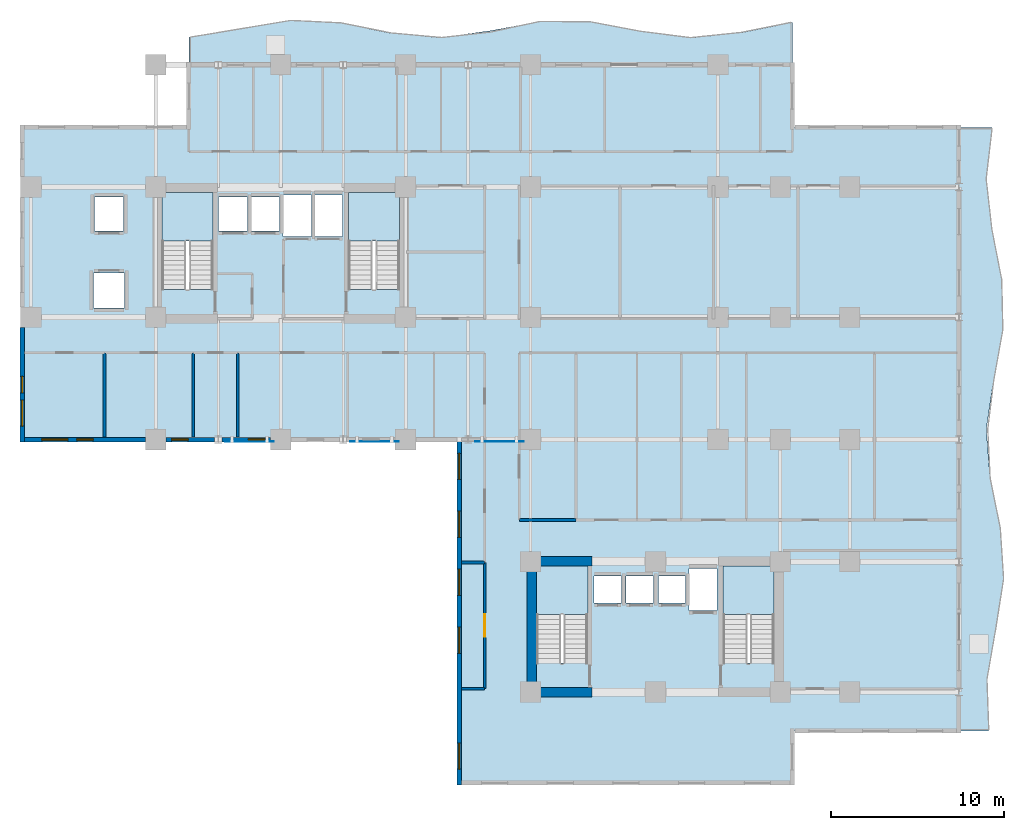
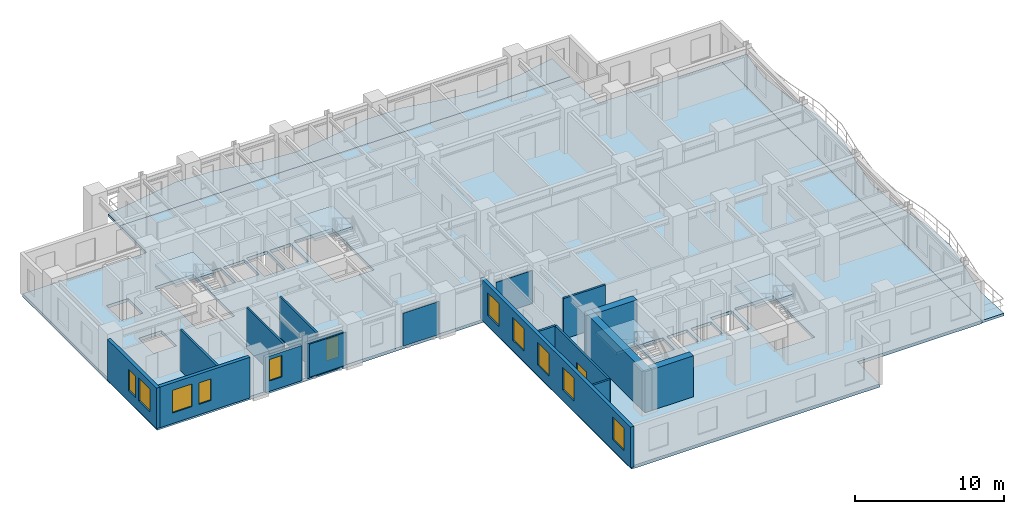
# One storey, part 2 of 11: 15 walls, 11 windows, 7 slabs, 3 plates, 1 door, 12 openings, 4 elements without a shape of their own.
"""IFC4 building model written with IfcOpenShell, lengths in metres."""

from ifc_helpers import new_model, si_unit, direction, frame, frame_2d, origin, origin_2d, place, context, subcontext, project, spatial, polyline, rectangle, outline, extrude, source, transform, mapped, material, layer, layer_set, type_object, element, fill, aggregate, save


model = new_model("IFC4")

# Units and contexts
model_context = context("Model", 3, precision=1e-05, world=origin(), true_north=direction((0.0, 1.0)))
body_context = subcontext(model_context, "Body", "Model", "MODEL_VIEW")
ifc_project = project(units=[si_unit("LENGTHUNIT", "METRE"), si_unit("AREAUNIT", "SQUARE_METRE"), si_unit("VOLUMEUNIT", "CUBIC_METRE"), si_unit("PLANEANGLEUNIT", "RADIAN"), si_unit("MASSUNIT", "GRAM", prefix="KILO")], contexts=[model_context])

# Site, building, storey
site_placement = place(None, origin())
site = spatial("IfcSite", under=ifc_project, at=site_placement, CompositionType="ELEMENT")
building_placement = place(site_placement, origin())
building = spatial("IfcBuilding", under=site, at=building_placement, Name="Kaliganga Portal Commons", CompositionType="ELEMENT")
storey_placement = place(building_placement, frame((0.0, 0.0, 126.699951171875)))
storey = spatial("IfcBuildingStorey", under=building, at=storey_placement, Name="L32", CompositionType="ELEMENT", Elevation=126.699951171875)

# Slabs
ifc_material_1 = material(Name="Concrete C40/50", Category="concrete")
ifc_layer_1 = layer(ifc_material_1, 0.2099609375)
ifc_layer_set_1 = layer_set([ifc_layer_1], Name="Concrete C40/50")
slab_type_1 = type_object("IfcSlabType", Name="SLB-BALC-210", PredefinedType="FLOOR", material=ifc_layer_set_1)
slab_1_placement = place(storey_placement, frame((0.0, 0.0, -0.2099609375)))
element("IfcSlab", 1, at=slab_1_placement, inside=storey, type_object=slab_type_1, Name="Scalloped Tree-Planter Balcony Slab L32 balc_north", PredefinedType="FLOOR", context=body_context, shape_type="SweptSolid", body=[
    extrude(outline(polyline([(51.10009765625, 43.199951171875), (51.10009765625, 45.6484375), (48.199951171875, 45.06689453125), (45.300048828125, 44.76611328125), (42.39990234375, 45.137939453125), (39.5, 45.697998046875), (36.60009765625, 45.716552734375), (33.699951171875, 45.16943359375), (30.800048828125, 44.76953125), (27.89990234375, 45.03759765625), (25.0, 45.624755859375), (22.10009765625, 45.765625), (19.199951171875, 45.27685546875), (16.300048828125, 44.79541015625), (16.300048828125, 43.199951171875), (51.10009765625, 43.199951171875)])), origin(), (0.0, 0.0, 1.0), 0.2099609375),
])
slab_2_placement = place(storey_placement, frame((0.0, 0.0, -0.2099609375)))
element("IfcSlab", 2, at=slab_2_placement, inside=storey, type_object=slab_type_1, Name="Scalloped Tree-Planter Balcony Slab L32 balc_east", PredefinedType="FLOOR", context=body_context, shape_type="SweptSolid", body=[
    extrude(outline(polyline([(60.699951171875, 4.800048828125), (62.416259765625, 4.800048828125), (62.311767578125, 7.699951171875), (62.8203125, 10.60009765625), (63.279296875, 13.5), (63.091064453125, 16.39990234375), (62.50048828125, 19.300048828125), (62.277099609375, 22.199951171875), (62.712158203125, 25.10009765625), (63.238525390625, 28.0), (63.170654296875, 30.89990234375), (62.5966796875, 33.800048828125), (62.2646484375, 36.699951171875), (62.60693359375, 39.60009765625), (60.699951171875, 39.60009765625), (60.699951171875, 4.800048828125)])), origin(), (0.0, 0.0, 1.0), 0.2099609375),
])

# Stair, slab
stair_type = type_object("IfcStairType", Name="ST-CORE-DOGLEG", PredefinedType="HALF_TURN_STAIR", material=ifc_material_1)
stair_1_placement = place(storey_placement, origin())
stair_1 = element("IfcStair", 3, at=stair_1_placement, inside=storey, type_object=stair_type, Name="L32 Protected Exit Stair ST-A1", PredefinedType="HALF_TURN_STAIR")
ifc_layer_2 = layer(ifc_material_1, 0.199951171875)
ifc_layer_set_2 = layer_set([ifc_layer_2], Name="Concrete C40/50")
slab_type_2 = type_object("IfcSlabType", Name="SLB-STAIR-LND", PredefinedType="LANDING", material=ifc_layer_set_2)
slab_3_placement = place(storey_placement, frame((0.0, 0.0, 1.650146484375)))
slab_3 = element("IfcSlab", 4, at=slab_3_placement, type_object=slab_type_2, Name="ST-A1 landing 1", PredefinedType="LANDING", context=body_context, shape_type="SweptSolid", body=[
    extrude(outline(polyline([(17.699951171875, 33.050048828125), (17.699951171875, 35.85009765625), (14.75, 35.85009765625), (14.75, 33.050048828125), (17.699951171875, 33.050048828125)])), origin(), (0.0, 0.0, 1.0), 0.199951171875),
])
aggregate(stair_1, [slab_3])

stair_2_placement = place(storey_placement, origin())
stair_2 = element("IfcStair", 5, at=stair_2_placement, inside=storey, type_object=stair_type, Name="L32 Protected Exit Stair ST-A2", PredefinedType="HALF_TURN_STAIR")
slab_4_placement = place(storey_placement, frame((0.0, 0.0, 1.650146484375)))
slab_4 = element("IfcSlab", 6, at=slab_4_placement, type_object=slab_type_2, Name="ST-A2 landing 1", PredefinedType="LANDING", context=body_context, shape_type="SweptSolid", body=[
    extrude(outline(polyline([(28.449951171875, 33.050048828125), (28.449951171875, 35.85009765625), (25.5, 35.85009765625), (25.5, 33.050048828125), (28.449951171875, 33.050048828125)])), origin(), (0.0, 0.0, 1.0), 0.199951171875),
])
aggregate(stair_2, [slab_4])

stair_3_placement = place(storey_placement, origin())
stair_3 = element("IfcStair", 7, at=stair_3_placement, inside=storey, type_object=stair_type, Name="L32 Protected Exit Stair ST-B1", PredefinedType="HALF_TURN_STAIR")
slab_5_placement = place(storey_placement, frame((0.0, 0.0, 1.650146484375)))
slab_5 = element("IfcSlab", 8, at=slab_5_placement, type_object=slab_type_2, Name="ST-B1 landing 1", PredefinedType="LANDING", context=body_context, shape_type="SweptSolid", body=[
    extrude(outline(polyline([(39.300048828125, 11.5), (39.300048828125, 14.300048828125), (36.35009765625, 14.300048828125), (36.35009765625, 11.5), (39.300048828125, 11.5)])), origin(), (0.0, 0.0, 1.0), 0.199951171875),
])
aggregate(stair_3, [slab_5])

stair_4_placement = place(storey_placement, origin())
stair_4 = element("IfcStair", 9, at=stair_4_placement, inside=storey, type_object=stair_type, Name="L32 Protected Exit Stair ST-B2", PredefinedType="HALF_TURN_STAIR")
slab_6_placement = place(storey_placement, frame((0.0, 0.0, 1.650146484375)))
slab_6 = element("IfcSlab", 10, at=slab_6_placement, type_object=slab_type_2, Name="ST-B2 landing 1", PredefinedType="LANDING", context=body_context, shape_type="SweptSolid", body=[
    extrude(outline(polyline([(50.050048828125, 11.5), (50.050048828125, 14.300048828125), (47.10009765625, 14.300048828125), (47.10009765625, 11.5), (50.050048828125, 11.5)])), origin(), (0.0, 0.0, 1.0), 0.199951171875),
])
aggregate(stair_4, [slab_6])

# Slab
ifc_layer_3 = layer(ifc_material_1, 0.25)
ifc_layer_set_3 = layer_set([ifc_layer_3], Name="Concrete C40/50")
slab_type_3 = type_object("IfcSlabType", Name="SLB-TWR-250", PredefinedType="FLOOR", material=ifc_layer_set_3)
slab_7_placement = place(storey_placement, frame((0.0, 0.0, -0.25)))
element("IfcSlab", 11, at=slab_7_placement, inside=storey, type_object=slab_type_3, Name="Structural Floor Slab L32", PredefinedType="FLOOR", context=body_context, shape_type="SweptSolid", body=[
    extrude(outline(polyline([(31.89990234375, 1.800048828125), (51.10009765625, 1.800048828125), (51.10009765625, 4.800048828125), (60.699951171875, 4.800048828125), (60.699951171875, 39.60009765625), (51.10009765625, 39.60009765625), (51.10009765625, 43.199951171875), (16.300048828125, 43.199951171875), (16.300048828125, 39.60009765625), (6.699951171875, 39.60009765625), (6.699951171875, 21.60009765625), (31.89990234375, 21.60009765625), (31.89990234375, 1.800048828125)]), holes=[polyline([(14.75, 30.25390625), (14.75, 35.85009765625), (17.699951171875, 35.85009765625), (17.699951171875, 30.25390625), (14.75, 30.25390625)]), polyline([(25.5, 30.25390625), (25.5, 35.85009765625), (28.449951171875, 35.85009765625), (28.449951171875, 30.25390625), (25.5, 30.25390625)]), polyline([(36.35009765625, 8.7041015625), (36.35009765625, 14.300048828125), (39.300048828125, 14.300048828125), (39.300048828125, 8.7041015625), (36.35009765625, 8.7041015625)]), polyline([(47.10009765625, 8.7041015625), (47.10009765625, 14.300048828125), (50.050048828125, 14.300048828125), (50.050048828125, 8.7041015625), (47.10009765625, 8.7041015625)]), polyline([(18.014892578125, 33.614990234375), (18.014892578125, 35.5849609375), (19.68505859375, 35.5849609375), (19.68505859375, 33.614990234375), (18.014892578125, 33.614990234375)]), polyline([(19.864990234375, 33.614990234375), (19.864990234375, 35.5849609375), (21.534912109375, 35.5849609375), (21.534912109375, 33.614990234375), (19.864990234375, 33.614990234375)]), polyline([(10.81494140625, 29.18994140625), (10.81494140625, 31.2099609375), (12.5849609375, 31.2099609375), (12.5849609375, 29.18994140625), (10.81494140625, 29.18994140625)]), polyline([(10.864990234375, 33.614990234375), (10.864990234375, 35.5849609375), (12.534912109375, 35.5849609375), (12.534912109375, 33.614990234375), (10.864990234375, 33.614990234375)]), polyline([(21.739990234375, 33.2900390625), (21.739990234375, 35.7099609375), (23.360107421875, 35.7099609375), (23.360107421875, 33.2900390625), (21.739990234375, 33.2900390625)]), polyline([(23.5400390625, 33.2900390625), (23.5400390625, 35.7099609375), (25.159912109375, 35.7099609375), (25.159912109375, 33.2900390625), (23.5400390625, 33.2900390625)]), polyline([(39.6650390625, 12.1650390625), (39.6650390625, 13.735107421875), (41.235107421875, 13.735107421875), (41.235107421875, 12.1650390625), (39.6650390625, 12.1650390625)]), polyline([(41.514892578125, 12.1650390625), (41.514892578125, 13.735107421875), (43.0849609375, 13.735107421875), (43.0849609375, 12.1650390625), (41.514892578125, 12.1650390625)]), polyline([(43.364990234375, 12.1650390625), (43.364990234375, 13.735107421875), (44.93505859375, 13.735107421875), (44.93505859375, 12.1650390625), (43.364990234375, 12.1650390625)]), polyline([(45.139892578125, 11.739990234375), (45.139892578125, 14.159912109375), (46.760009765625, 14.159912109375), (46.760009765625, 11.739990234375), (45.139892578125, 11.739990234375)])]), origin(), (0.0, 0.0, 1.0), 0.25),
])

# Plates
ifc_material_2 = material(Name="Perforated Terracotta Monsoon Baguette Screen", Category="masonry")
ifc_layer_4 = layer(ifc_material_2, 0.034912109375)
ifc_layer_set_4 = layer_set([ifc_layer_4], Name="Perforated Terracotta Monsoon Baguette Screen")
plate_type = type_object("IfcPlateType", Name="PLT-CER-35", PredefinedType="USERDEFINED", material=ifc_layer_set_4)
shared_shape = source(origin(), body_context, "Body", "SweptSolid", [
    extrude(rectangle(XDim=2.800048828125, YDim=0.034912109375, at=origin_2d()), origin(), (0.0, 0.0, 1.0), 2.68994140625),
])
for number, where, z_axis, x_axis, name in (
    (12, (19.800048828125, 21.47998046875, 0.080078125), (0.0, 0.0, 1.0), (1.0, 0.0, 0.0), "Perforated Solar Screen L32-S1"),
    (13, (27.0, 21.47998046875, 0.080078125), (0.0, 0.0, 1.0), (1.0, 0.0, 0.0), "Perforated Solar Screen L32-S2"),
    (14, (34.199951171875, 21.47998046875, 0.080078125), (0.0, 0.0, 1.0), (1.0, 0.0, 0.0), "Perforated Solar Screen L32-S3"),
):
    element("IfcPlate", number, at=place(storey_placement, frame(where, z_axis=z_axis, x_axis=x_axis)), inside=storey, type_object=plate_type, Name=name, ObjectType="SOLAR SCREEN", PredefinedType="USERDEFINED", context=body_context, shape_type="MappedRepresentation", body=[
        mapped(shared_shape, transform((0.0, 0.0, 0.0), x_axis=(1.0, 0.0, 0.0), y_axis=(0.0, 1.0, 0.0), z_axis=(0.0, 0.0, 1.0), scale=1.0)),
    ])

# Walls
ifc_material_3 = material(Name="Concrete C60/75", Category="concrete")
ifc_layer_5 = layer(ifc_material_3, 0.550048828125)
ifc_layer_set_5 = layer_set([ifc_layer_5], Name="Concrete C60/75")
wall_type_1 = type_object("IfcWallType", Name="WL-CORE-550", PredefinedType="SHEAR", material=ifc_layer_set_5)
wall_1_placement = place(storey_placement, frame((36.074951171875, 6.75, 0.0), z_axis=(0.0, 0.0, 1.0), x_axis=(0.0, 1.0, 0.0)))
element("IfcWall", 15, at=wall_1_placement, inside=storey, type_object=wall_type_1, Name="Core B West Shear Wall L32", PredefinedType="SHEAR", context=body_context, shape_type="SweptSolid", body=[
    extrude(rectangle(XDim=8.10009765625, YDim=0.550048828125, at=frame_2d((4.050048828125, 0.0))), origin(), (0.0, 0.0, 1.0), 3.340087890625),
])
for number, where, z_axis, x_axis, name in (
    (16, (36.35009765625, 7.02490234375, 0.0), (0.0, 0.0, 1.0), (1.0, 0.0, 0.0), "Core B S-West Shear Wall L32"),
    (17, (36.35009765625, 14.574951171875, 0.0), (0.0, 0.0, 1.0), (1.0, 0.0, 0.0), "Core B N-West Shear Wall L32"),
):
    element("IfcWall", number, at=place(storey_placement, frame(where, z_axis=z_axis, x_axis=x_axis)), inside=storey, type_object=wall_type_1, Name=name, PredefinedType="SHEAR", context=body_context, shape_type="SweptSolid", body=[
        extrude(rectangle(XDim=3.199951171875, YDim=0.550048828125, at=frame_2d((1.60009765625, 0.0))), origin(), (0.0, 0.0, 1.0), 3.340087890625),
    ])

# Wall, openings, windows
ifc_material_4 = material(Name="Insulated Aluminium-Clad Spandrel Assembly", Category="aluminium")
ifc_layer_6 = layer(ifc_material_4, 0.260009765625)
ifc_layer_set_6 = layer_set([ifc_layer_6], Name="Insulated Aluminium-Clad Spandrel Assembly")
wall_type_2 = type_object("IfcWallType", Name="WL-EXT-SPAND-260", PredefinedType="STANDARD", material=ifc_layer_set_6)
wall_2_placement = place(storey_placement, frame((6.699951171875, 21.469970703125, 0.0), z_axis=(0.0, 0.0, 1.0), x_axis=(0.0, 1.0, 0.0)))
wall_2 = element("IfcWall", 18, at=wall_2_placement, inside=storey, type_object=wall_type_2, Name="Exterior Envelope Wall L32 P1-E09-S3", PredefinedType="STANDARD", context=body_context, shape_type="SweptSolid", body=[
    extrude(rectangle(XDim=6.5791015625, YDim=0.260009765625, at=frame_2d((3.28955078125, 0.0))), origin(), (0.0, 0.0, 1.0), 3.320068359375),
])
opening_1_placement = place(wall_2_placement, frame((0.894775390625, 0.0, 0.85009765625)))
opening_1 = element("IfcOpeningElement", 19, at=opening_1_placement, cuts=wall_2, Name="Opening W-02", PredefinedType="OPENING", context=body_context, shape_type="SweptSolid", body=[
    extrude(rectangle(XDim=1.5, YDim=1.85009765625, at=frame_2d((0.75, 0.925048828125))), frame((0.0, 0.14013671875, 0.0), z_axis=(0.0, -1.0, 0.0), x_axis=(1.0, 0.0, 0.0)), (0.0, 0.0, 1.0), 0.280029296875),
])
opening_2_placement = place(wall_2_placement, frame((2.814453125, 0.0, 0.85009765625)))
opening_2 = element("IfcOpeningElement", 20, at=opening_2_placement, cuts=wall_2, Name="Opening W-04", PredefinedType="OPENING", context=body_context, shape_type="SweptSolid", body=[
    extrude(rectangle(XDim=0.949951171875, YDim=1.75, at=frame_2d((0.47509765625, 0.875))), frame((0.0, 0.14013671875, 0.0), z_axis=(0.0, -1.0, 0.0), x_axis=(1.0, 0.0, 0.0)), (0.0, 0.0, 1.0), 0.280029296875),
])
ifc_material_5 = material(Name="Thermally Broken Aluminium and Low-E Double Glazing", Category="aluminium")
window_type_1 = type_object("IfcWindowType", Name="WIN-NARROW-950", PartitioningType="SINGLE_PANEL", PredefinedType="WINDOW", material=ifc_material_5)
window_1_placement = place(opening_2_placement, origin())
window_1 = element("IfcWindow", 21, at=window_1_placement, inside=storey, type_object=window_type_1, Name="Facade Window L32-P1E09S3-N0", OverallHeight=1.75, OverallWidth=0.949951171875, PartitioningType="SINGLE_PANEL", PredefinedType="WINDOW", context=body_context, shape_type="SweptSolid", body=[
    extrude(rectangle(XDim=0.949951171875, YDim=1.75, at=frame_2d((0.47509765625, 0.875))), frame((0.0, 0.030029296875, 0.0), z_axis=(0.0, -1.0, 0.0), x_axis=(1.0, 0.0, 0.0)), (0.0, 0.0, 1.0), 0.06005859375),
])
fill(opening_2, window_1)
window_type_2 = type_object("IfcWindowType", Name="WIN-STD-1500", PartitioningType="DOUBLE_PANEL_VERTICAL", PredefinedType="WINDOW", material=ifc_material_5)
window_2_placement = place(opening_1_placement, origin())
window_2 = element("IfcWindow", 22, at=window_2_placement, inside=storey, type_object=window_type_2, Name="Facade Window L32-P1E09S3-00", OverallHeight=1.85009765625, OverallWidth=1.5, PartitioningType="SINGLE_PANEL", PredefinedType="WINDOW", context=body_context, shape_type="SweptSolid", body=[
    extrude(rectangle(XDim=1.5, YDim=1.85009765625, at=frame_2d((0.75, 0.925048828125))), frame((0.0, 0.030029296875, 0.0), z_axis=(0.0, -1.0, 0.0), x_axis=(1.0, 0.0, 0.0)), (0.0, 0.0, 1.0), 0.06005859375),
])
fill(opening_1, window_2)

wall_3_placement = place(storey_placement, frame((13.799072265625, 21.60009765625, 0.0), z_axis=(0.0, 0.0, 1.0), x_axis=(-1.0, 0.0, 0.0)))
wall_3 = element("IfcWall", 23, at=wall_3_placement, inside=storey, type_object=wall_type_2, Name="Exterior Envelope Wall L32 P1-E10-S1", PredefinedType="STANDARD", context=body_context, shape_type="SweptSolid", body=[
    extrude(rectangle(XDim=6.964111328125, YDim=0.260009765625, at=frame_2d((3.48193359375, 0.0))), origin(), (0.0, 0.0, 1.0), 3.320068359375),
])
opening_3_placement = place(wall_3_placement, frame((4.472900390625, 0.0, 0.85009765625)))
opening_3 = element("IfcOpeningElement", 24, at=opening_3_placement, cuts=wall_3, Name="Opening W-02", PredefinedType="OPENING", context=body_context, shape_type="SweptSolid", body=[
    extrude(rectangle(XDim=1.5, YDim=1.85009765625, at=frame_2d((0.75, 0.925048828125))), frame((0.0, 0.14013671875, 0.0), z_axis=(0.0, -1.0, 0.0), x_axis=(1.0, 0.0, 0.0)), (0.0, 0.0, 1.0), 0.280029296875),
])
opening_4_placement = place(wall_3_placement, frame((3.007080078125, 0.0, 0.85009765625)))
opening_4 = element("IfcOpeningElement", 25, at=opening_4_placement, cuts=wall_3, Name="Opening W-04", PredefinedType="OPENING", context=body_context, shape_type="SweptSolid", body=[
    extrude(rectangle(XDim=0.949951171875, YDim=1.75, at=frame_2d((0.47509765625, 0.875))), frame((0.0, 0.14013671875, 0.0), z_axis=(0.0, -1.0, 0.0), x_axis=(1.0, 0.0, 0.0)), (0.0, 0.0, 1.0), 0.280029296875),
])
window_3_placement = place(opening_4_placement, origin())
window_3 = element("IfcWindow", 26, at=window_3_placement, inside=storey, type_object=window_type_1, Name="Facade Window L32-P1E10S1-N0", OverallHeight=1.75, OverallWidth=0.949951171875, PartitioningType="SINGLE_PANEL", PredefinedType="WINDOW", context=body_context, shape_type="SweptSolid", body=[
    extrude(rectangle(XDim=0.949951171875, YDim=1.75, at=frame_2d((0.47509765625, 0.875))), frame((0.0, 0.030029296875, 0.0), z_axis=(0.0, -1.0, 0.0), x_axis=(1.0, 0.0, 0.0)), (0.0, 0.0, 1.0), 0.06005859375),
])
fill(opening_4, window_3)
window_4_placement = place(opening_3_placement, origin())
window_4 = element("IfcWindow", 27, at=window_4_placement, inside=storey, type_object=window_type_2, Name="Facade Window L32-P1E10S1-01", OverallHeight=1.85009765625, OverallWidth=1.5, PartitioningType="SINGLE_PANEL", PredefinedType="WINDOW", context=body_context, shape_type="SweptSolid", body=[
    extrude(rectangle(XDim=1.5, YDim=1.85009765625, at=frame_2d((0.75, 0.925048828125))), frame((0.0, 0.030029296875, 0.0), z_axis=(0.0, -1.0, 0.0), x_axis=(1.0, 0.0, 0.0)), (0.0, 0.0, 1.0), 0.06005859375),
])
fill(opening_3, window_4)

# Wall, opening, window
wall_4_placement = place(storey_placement, frame((17.79443359375, 21.60009765625, 0.0), z_axis=(0.0, 0.0, 1.0), x_axis=(-1.0, 0.0, 0.0)))
wall_4 = element("IfcWall", 28, at=wall_4_placement, inside=storey, type_object=wall_type_2, Name="Exterior Envelope Wall L32 P1-E10-S2", PredefinedType="STANDARD", context=body_context, shape_type="SweptSolid", body=[
    extrude(rectangle(XDim=2.79345703125, YDim=0.260009765625, at=frame_2d((1.396728515625, 0.0))), origin(), (0.0, 0.0, 1.0), 2.8701171875),
])
opening_5_placement = place(wall_4_placement, frame((1.536376953125, 0.0, 0.85009765625)))
opening_5 = element("IfcOpeningElement", 29, at=opening_5_placement, cuts=wall_4, Name="Opening W-04", PredefinedType="OPENING", context=body_context, shape_type="SweptSolid", body=[
    extrude(rectangle(XDim=0.949951171875, YDim=1.75, at=frame_2d((0.47509765625, 0.875))), frame((0.0, 0.14013671875, 0.0), z_axis=(0.0, -1.0, 0.0), x_axis=(1.0, 0.0, 0.0)), (0.0, 0.0, 1.0), 0.280029296875),
])
window_5_placement = place(opening_5_placement, origin())
window_5 = element("IfcWindow", 30, at=window_5_placement, inside=storey, type_object=window_type_1, Name="Facade Window L32-P1E10S2-N4", OverallHeight=1.75, OverallWidth=0.949951171875, PartitioningType="SINGLE_PANEL", PredefinedType="WINDOW", context=body_context, shape_type="SweptSolid", body=[
    extrude(rectangle(XDim=0.949951171875, YDim=1.75, at=frame_2d((0.47509765625, 0.875))), frame((0.0, 0.030029296875, 0.0), z_axis=(0.0, -1.0, 0.0), x_axis=(1.0, 0.0, 0.0)), (0.0, 0.0, 1.0), 0.06005859375),
])
fill(opening_5, window_5)

wall_5_placement = place(storey_placement, frame((20.9990234375, 21.60009765625, 0.0), z_axis=(0.0, 0.0, 1.0), x_axis=(-1.0, 0.0, 0.0)))
wall_5 = element("IfcWall", 31, at=wall_5_placement, inside=storey, type_object=wall_type_2, Name="Exterior Envelope Wall L32 P1-E10-S3", PredefinedType="STANDARD", context=body_context, shape_type="SweptSolid", body=[
    extrude(rectangle(XDim=2.79345703125, YDim=0.260009765625, at=frame_2d((1.396728515625, 0.0))), origin(), (0.0, 0.0, 1.0), 2.8701171875),
])
opening_6_placement = place(wall_5_placement, frame((0.30712890625, 0.0, 0.85009765625)))
opening_6 = element("IfcOpeningElement", 32, at=opening_6_placement, cuts=wall_5, Name="Opening W-04", PredefinedType="OPENING", context=body_context, shape_type="SweptSolid", body=[
    extrude(rectangle(XDim=0.949951171875, YDim=1.75, at=frame_2d((0.47509765625, 0.875))), frame((0.0, 0.14013671875, 0.0), z_axis=(0.0, -1.0, 0.0), x_axis=(1.0, 0.0, 0.0)), (0.0, 0.0, 1.0), 0.280029296875),
])
window_6_placement = place(opening_6_placement, origin())
window_6 = element("IfcWindow", 33, at=window_6_placement, inside=storey, type_object=window_type_1, Name="Facade Window L32-P1E10S3-N3", OverallHeight=1.75, OverallWidth=0.949951171875, PartitioningType="SINGLE_PANEL", PredefinedType="WINDOW", context=body_context, shape_type="SweptSolid", body=[
    extrude(rectangle(XDim=0.949951171875, YDim=1.75, at=frame_2d((0.47509765625, 0.875))), frame((0.0, 0.030029296875, 0.0), z_axis=(0.0, -1.0, 0.0), x_axis=(1.0, 0.0, 0.0)), (0.0, 0.0, 1.0), 0.06005859375),
])
fill(opening_6, window_6)

# Wall, openings, windows
wall_6_placement = place(storey_placement, frame((31.89990234375, 1.669921875, 0.0), z_axis=(0.0, 0.0, 1.0), x_axis=(0.0, 1.0, 0.0)))
wall_6 = element("IfcWall", 34, at=wall_6_placement, inside=storey, type_object=wall_type_2, Name="Exterior Envelope Wall L32 P1-E11-S1", PredefinedType="STANDARD", context=body_context, shape_type="SweptSolid", body=[
    extrude(rectangle(XDim=20.06005859375, YDim=0.260009765625, at=frame_2d((10.030029296875, 0.0))), origin(), (0.0, 0.0, 1.0), 3.320068359375),
])
opening_7_placement = place(wall_6_placement, frame((0.921630859375, 0.0, 0.85009765625)))
opening_7 = element("IfcOpeningElement", 35, at=opening_7_placement, cuts=wall_6, Name="Opening W-02", PredefinedType="OPENING", context=body_context, shape_type="SweptSolid", body=[
    extrude(rectangle(XDim=1.5, YDim=1.85009765625, at=frame_2d((0.75, 0.925048828125))), frame((0.0, 0.14013671875, 0.0), z_axis=(0.0, -1.0, 0.0), x_axis=(1.0, 0.0, 0.0)), (0.0, 0.0, 1.0), 0.280029296875),
])
opening_8_placement = place(wall_6_placement, frame((7.6083984375, 0.0, 0.85009765625)))
opening_8 = element("IfcOpeningElement", 36, at=opening_8_placement, cuts=wall_6, Name="Opening W-02", PredefinedType="OPENING", context=body_context, shape_type="SweptSolid", body=[
    extrude(rectangle(XDim=1.5, YDim=1.85009765625, at=frame_2d((0.75, 0.925048828125))), frame((0.0, 0.14013671875, 0.0), z_axis=(0.0, -1.0, 0.0), x_axis=(1.0, 0.0, 0.0)), (0.0, 0.0, 1.0), 0.280029296875),
])
opening_9_placement = place(wall_6_placement, frame((10.95166015625, 0.0, 0.85009765625)))
opening_9 = element("IfcOpeningElement", 37, at=opening_9_placement, cuts=wall_6, Name="Opening W-02", PredefinedType="OPENING", context=body_context, shape_type="SweptSolid", body=[
    extrude(rectangle(XDim=1.5, YDim=1.85009765625, at=frame_2d((0.75, 0.925048828125))), frame((0.0, 0.14013671875, 0.0), z_axis=(0.0, -1.0, 0.0), x_axis=(1.0, 0.0, 0.0)), (0.0, 0.0, 1.0), 0.280029296875),
])
opening_10_placement = place(wall_6_placement, frame((14.294921875, 0.0, 0.85009765625)))
opening_10 = element("IfcOpeningElement", 38, at=opening_10_placement, cuts=wall_6, Name="Opening W-02", PredefinedType="OPENING", context=body_context, shape_type="SweptSolid", body=[
    extrude(rectangle(XDim=1.5, YDim=1.85009765625, at=frame_2d((0.75, 0.925048828125))), frame((0.0, 0.14013671875, 0.0), z_axis=(0.0, -1.0, 0.0), x_axis=(1.0, 0.0, 0.0)), (0.0, 0.0, 1.0), 0.280029296875),
])
opening_11_placement = place(wall_6_placement, frame((17.63818359375, 0.0, 0.85009765625)))
opening_11 = element("IfcOpeningElement", 39, at=opening_11_placement, cuts=wall_6, Name="Opening W-02", PredefinedType="OPENING", context=body_context, shape_type="SweptSolid", body=[
    extrude(rectangle(XDim=1.5, YDim=1.85009765625, at=frame_2d((0.75, 0.925048828125))), frame((0.0, 0.14013671875, 0.0), z_axis=(0.0, -1.0, 0.0), x_axis=(1.0, 0.0, 0.0)), (0.0, 0.0, 1.0), 0.280029296875),
])
window_7_placement = place(opening_7_placement, origin())
window_7 = element("IfcWindow", 40, at=window_7_placement, inside=storey, type_object=window_type_2, Name="Facade Window L32-P1E11S1-00", OverallHeight=1.85009765625, OverallWidth=1.5, PartitioningType="SINGLE_PANEL", PredefinedType="WINDOW", context=body_context, shape_type="SweptSolid", body=[
    extrude(rectangle(XDim=1.5, YDim=1.85009765625, at=frame_2d((0.75, 0.925048828125))), frame((0.0, 0.030029296875, 0.0), z_axis=(0.0, -1.0, 0.0), x_axis=(1.0, 0.0, 0.0)), (0.0, 0.0, 1.0), 0.06005859375),
])
fill(opening_7, window_7)
window_8_placement = place(opening_8_placement, origin())
window_8 = element("IfcWindow", 41, at=window_8_placement, inside=storey, type_object=window_type_2, Name="Facade Window L32-P1E11S1-02", OverallHeight=1.85009765625, OverallWidth=1.5, PartitioningType="SINGLE_PANEL", PredefinedType="WINDOW", context=body_context, shape_type="SweptSolid", body=[
    extrude(rectangle(XDim=1.5, YDim=1.85009765625, at=frame_2d((0.75, 0.925048828125))), frame((0.0, 0.030029296875, 0.0), z_axis=(0.0, -1.0, 0.0), x_axis=(1.0, 0.0, 0.0)), (0.0, 0.0, 1.0), 0.06005859375),
])
fill(opening_8, window_8)
window_9_placement = place(opening_9_placement, origin())
window_9 = element("IfcWindow", 42, at=window_9_placement, inside=storey, type_object=window_type_2, Name="Facade Window L32-P1E11S1-03", OverallHeight=1.85009765625, OverallWidth=1.5, PartitioningType="SINGLE_PANEL", PredefinedType="WINDOW", context=body_context, shape_type="SweptSolid", body=[
    extrude(rectangle(XDim=1.5, YDim=1.85009765625, at=frame_2d((0.75, 0.925048828125))), frame((0.0, 0.030029296875, 0.0), z_axis=(0.0, -1.0, 0.0), x_axis=(1.0, 0.0, 0.0)), (0.0, 0.0, 1.0), 0.06005859375),
])
fill(opening_9, window_9)
window_10_placement = place(opening_10_placement, origin())
window_10 = element("IfcWindow", 43, at=window_10_placement, inside=storey, type_object=window_type_2, Name="Facade Window L32-P1E11S1-04", OverallHeight=1.85009765625, OverallWidth=1.5, PartitioningType="SINGLE_PANEL", PredefinedType="WINDOW", context=body_context, shape_type="SweptSolid", body=[
    extrude(rectangle(XDim=1.5, YDim=1.85009765625, at=frame_2d((0.75, 0.925048828125))), frame((0.0, 0.030029296875, 0.0), z_axis=(0.0, -1.0, 0.0), x_axis=(1.0, 0.0, 0.0)), (0.0, 0.0, 1.0), 0.06005859375),
])
fill(opening_10, window_10)
window_11_placement = place(opening_11_placement, origin())
window_11 = element("IfcWindow", 44, at=window_11_placement, inside=storey, type_object=window_type_2, Name="Facade Window L32-P1E11S1-05", OverallHeight=1.85009765625, OverallWidth=1.5, PartitioningType="SINGLE_PANEL", PredefinedType="WINDOW", context=body_context, shape_type="SweptSolid", body=[
    extrude(rectangle(XDim=1.5, YDim=1.85009765625, at=frame_2d((0.75, 0.925048828125))), frame((0.0, 0.030029296875, 0.0), z_axis=(0.0, -1.0, 0.0), x_axis=(1.0, 0.0, 0.0)), (0.0, 0.0, 1.0), 0.06005859375),
])
fill(opening_11, window_11)

# Wall, opening, door
ifc_material_6 = material(Name="Fire-Rated Gypsum Board on Steel Stud", Category="steel")
ifc_layer_7 = layer(ifc_material_6, 0.14990234375)
ifc_layer_set_7 = layer_set([ifc_layer_7], Name="Fire-Rated Gypsum Board on Steel Stud")
wall_type_3 = type_object("IfcWallType", Name="WL-PART-CORR-150", PredefinedType="PARTITIONING", material=ifc_layer_set_7)
wall_7_placement = place(storey_placement, frame((33.360107421875, 7.239990234375, 0.0), z_axis=(0.0, 0.0, 1.0), x_axis=(0.0, 1.0, 0.0)))
wall_7 = element("IfcWall", 45, at=wall_7_placement, inside=storey, type_object=wall_type_3, Name="Interior Partition L32-010", PredefinedType="PARTITIONING", context=body_context, shape_type="SweptSolid", body=[
    extrude(rectangle(XDim=7.260009765625, YDim=0.14990234375, at=frame_2d((3.6298828125, 0.0))), origin(), (0.0, 0.0, 1.0), 3.320068359375),
])
opening_12_placement = place(wall_7_placement, frame((2.97998046875, 0.0, 0.0)))
opening_12 = element("IfcOpeningElement", 46, at=opening_12_placement, cuts=wall_7, Name="Opening RD-03", PredefinedType="OPENING", context=body_context, shape_type="SweptSolid", body=[
    extrude(rectangle(XDim=1.300048828125, YDim=2.1201171875, at=frame_2d((0.64990234375, 1.06005859375))), frame((0.0, 0.0849609375, 0.0), z_axis=(0.0, -1.0, 0.0), x_axis=(1.0, 0.0, 0.0)), (0.0, 0.0, 1.0), 0.169921875),
])
ifc_material_7 = material(Name="Glazed Timber Seminar Vision Door", Category="wood")
door_type = type_object("IfcDoorType", Name="DR-STUDY-1300", OperationType="DOUBLE_DOOR_SINGLE_SWING", PredefinedType="DOOR", material=ifc_material_7)
door_placement = place(opening_12_placement, origin())
door = element("IfcDoor", 47, at=door_placement, inside=storey, type_object=door_type, Name="Interior Door L32-KW01", OperationType="DOUBLE_DOOR_SINGLE_SWING", OverallHeight=2.1201171875, OverallWidth=1.300048828125, PredefinedType="DOOR", context=body_context, shape_type="SweptSolid", body=[
    extrude(rectangle(XDim=1.300048828125, YDim=2.1201171875, at=frame_2d((0.64990234375, 1.06005859375))), frame((0.0, 0.02490234375, 0.0), z_axis=(0.0, -1.0, 0.0), x_axis=(1.0, 0.0, 0.0)), (0.0, 0.0, 1.0), 0.050048828125),
])
fill(opening_12, door)

# Walls
wall_8_placement = place(storey_placement, frame((35.360107421875, 16.9599609375, 0.0), z_axis=(0.0, 0.0, 1.0), x_axis=(1.0, 0.0, 0.0)))
element("IfcWall", 48, at=wall_8_placement, inside=storey, type_object=wall_type_3, Name="Interior Partition L32-033", PredefinedType="PARTITIONING", context=body_context, shape_type="SweptSolid", body=[
    extrude(rectangle(XDim=3.260009765625, YDim=0.14990234375, at=frame_2d((1.6298828125, 0.0))), origin(), (0.0, 0.0, 1.0), 3.320068359375),
])
wall_9_placement = place(storey_placement, frame((32.031982421875, 7.239990234375, 0.0), z_axis=(0.0, 0.0, 1.0), x_axis=(1.0, 0.0, 0.0)))
element("IfcWall", 49, at=wall_9_placement, inside=storey, type_object=wall_type_3, Name="Interior Partition L32-042", PredefinedType="PARTITIONING", context=body_context, shape_type="SweptSolid", body=[
    extrude(rectangle(XDim=1.328125, YDim=0.14990234375, at=frame_2d((0.6640625, 0.0))), origin(), (0.0, 0.0, 1.0), 3.320068359375),
])
ifc_material_8 = material(Name="Twin-Stud Acoustic Gypsum Partition", Category="gypsum")
ifc_layer_8 = layer(ifc_material_8, 0.1650390625)
ifc_layer_set_8 = layer_set([ifc_layer_8], Name="Twin-Stud Acoustic Gypsum Partition")
wall_type_4 = type_object("IfcWallType", Name="WL-PART-UNIT-165", PredefinedType="PARTITIONING", material=ifc_layer_set_8)
wall_10_placement = place(storey_placement, frame((11.43994140625, 21.73193359375, 0.0), z_axis=(0.0, 0.0, 1.0), x_axis=(0.0, 1.0, 0.0)))
element("IfcWall", 50, at=wall_10_placement, inside=storey, type_object=wall_type_4, Name="Interior Partition L32-056", PredefinedType="PARTITIONING", context=body_context, shape_type="SweptSolid", body=[
    extrude(rectangle(XDim=4.8681640625, YDim=0.1650390625, at=frame_2d((2.43408203125, 0.0))), origin(), (0.0, 0.0, 1.0), 3.320068359375),
])
wall_11_placement = place(storey_placement, frame((32.031982421875, 14.5, 0.0), z_axis=(0.0, 0.0, 1.0), x_axis=(1.0, 0.0, 0.0)))
element("IfcWall", 51, at=wall_11_placement, inside=storey, type_object=wall_type_4, Name="Interior Partition L32-080", PredefinedType="PARTITIONING", context=body_context, shape_type="SweptSolid", body=[
    extrude(rectangle(XDim=1.328125, YDim=0.1650390625, at=frame_2d((0.6640625, 0.0))), origin(), (0.0, 0.0, 1.0), 3.320068359375),
])
ifc_material_9 = material(Name="Cement-Board Wet-Room Partition", Category="gypsum")
ifc_layer_9 = layer(ifc_material_9, 0.135009765625)
ifc_layer_set_9 = layer_set([ifc_layer_9], Name="Cement-Board Wet-Room Partition")
wall_type_5 = type_object("IfcWallType", Name="WL-PART-WET-135", PredefinedType="PARTITIONING", material=ifc_layer_set_9)
for number, where, z_axis, x_axis, name in (
    (52, (16.56005859375, 21.73193359375, 0.0), (0.0, 0.0, 1.0), (0.0, 1.0, 0.0), "Interior Partition L32-058"),
    (53, (19.1201171875, 21.73193359375, 0.0), (0.0, 0.0, 1.0), (0.0, 1.0, 0.0), "Interior Partition L32-059"),
):
    element("IfcWall", number, at=place(storey_placement, frame(where, z_axis=z_axis, x_axis=x_axis)), inside=storey, type_object=wall_type_5, Name=name, PredefinedType="PARTITIONING", context=body_context, shape_type="SweptSolid", body=[
        extrude(rectangle(XDim=4.8681640625, YDim=0.135009765625, at=frame_2d((2.43408203125, 0.0))), origin(), (0.0, 0.0, 1.0), 3.320068359375),
    ])

save(model, "model.ifc")
